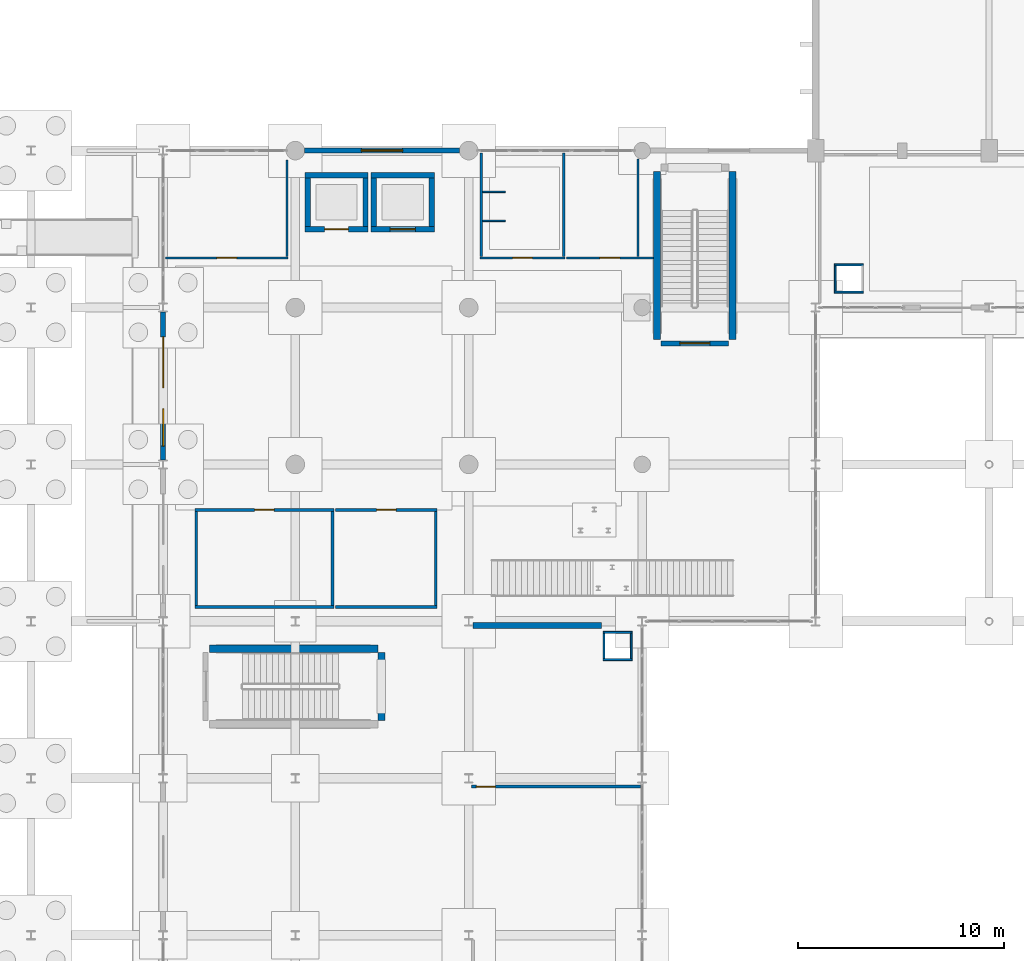
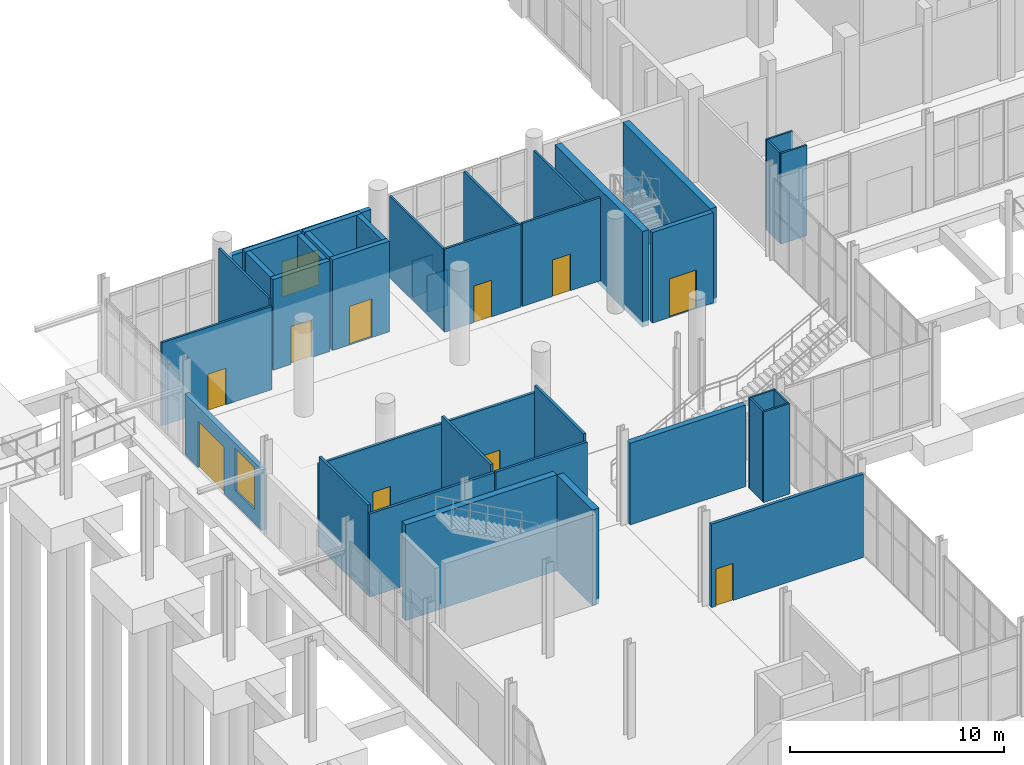
# One storey, part 74 of 95: 40 walls, 10 doors, 2 windows, 12 openings.
"""IFC4 building model written with IfcOpenShell, lengths in metres."""

from ifc_helpers import new_model, si_unit, direction, frame, frame_2d, origin, place, context, subcontext, project, spatial, rectangle, extrude, material, layer, layer_set, type_object, element, fill, save


model = new_model("IFC4")

# Units and contexts
model_context = context("Model", 3, precision=1e-05, world=origin(), true_north=direction((0.0, 1.0)))
body_context = subcontext(model_context, "Body", "Model", "MODEL_VIEW")
ifc_project = project(units=[si_unit("LENGTHUNIT", "METRE"), si_unit("AREAUNIT", "SQUARE_METRE"), si_unit("VOLUMEUNIT", "CUBIC_METRE"), si_unit("PLANEANGLEUNIT", "RADIAN"), si_unit("MASSUNIT", "GRAM", prefix="KILO")], contexts=[model_context])

# Site, building, storey
site_placement = place(None, origin())
site = spatial("IfcSite", under=ifc_project, at=site_placement, CompositionType="ELEMENT")
building_placement = place(site_placement, origin())
building = spatial("IfcBuilding", under=site, at=building_placement, Name="Shengluoqiao Park Theatre", CompositionType="ELEMENT")
storey_placement = place(building_placement, origin())
storey = spatial("IfcBuildingStorey", under=building, at=storey_placement, Name="L00", CompositionType="ELEMENT", Elevation=0.0)

# Wall, openings, door, window
ifc_material_1 = material(Name="Precast concrete C45", Category="concrete")
ifc_layer_1 = layer(ifc_material_1, 0.25, Name="Precast concrete C45")
ifc_layer_set_1 = layer_set([ifc_layer_1], Name="Precast concrete C45")
wall_type_1 = type_object("IfcWallType", Name="ENV-WL-CRYS250", PredefinedType="STANDARD", material=ifc_layer_set_1)
wall_1_placement = place(storey_placement, frame((12.800048828125, 61.010986328125, 0.0), z_axis=(0.0, 0.0, 1.0), x_axis=(0.0, 1.0, 0.0)))
wall_1 = element("IfcWall", 1, at=wall_1_placement, inside=storey, type_object=wall_type_1, Name="L00 Exterior Wall 0107", PredefinedType="STANDARD", context=body_context, shape_type="SweptSolid", body=[
    extrude(rectangle(XDim=7.177978515625, YDim=0.25, at=frame_2d((3.5888671875, 0.0))), origin(), (0.0, 0.0, 1.0), 3.47607421875),
])
opening_1_placement = place(wall_1_placement, frame((0.67919921875, 0.0, 0.800048828125)))
opening_1 = element("IfcOpeningElement", 2, at=opening_1_placement, cuts=wall_1, Name="Opening W-01", PredefinedType="OPENING", context=body_context, shape_type="SweptSolid", body=[
    extrude(rectangle(XDim=1.800048828125, YDim=2.39990234375, at=frame_2d((0.89990234375, 1.199951171875))), frame((0.0, 0.135009765625, 0.0), z_axis=(0.0, -1.0, 0.0), x_axis=(1.0, 0.0, 0.0)), (0.0, 0.0, 1.0), 0.27001953125),
])
opening_2_placement = place(wall_1_placement, frame((3.512451171875, 0.0, 0.0)))
opening_2 = element("IfcOpeningElement", 3, at=opening_2_placement, cuts=wall_1, Name="Opening ED-MAIN-008", PredefinedType="OPENING", context=body_context, shape_type="SweptSolid", body=[
    extrude(rectangle(XDim=2.449951171875, YDim=2.64990234375, at=frame_2d((1.22509765625, 1.324951171875))), frame((0.0, 0.135009765625, 0.0), z_axis=(0.0, -1.0, 0.0), x_axis=(1.0, 0.0, 0.0)), (0.0, 0.0, 1.0), 0.27001953125),
])
ifc_material_2 = material(Name="Aluminium 6063-T6", Category="aluminium")
door_type_1 = type_object("IfcDoorType", Name="ENV-DR-EX245", OperationType="DOUBLE_DOOR_SINGLE_SWING", PredefinedType="DOOR", material=ifc_material_2)
door_1_placement = place(opening_2_placement, origin())
door_1 = element("IfcDoor", 4, at=door_1_placement, inside=storey, type_object=door_type_1, Name="Main Foyer Grand Entrance Door ED-MAIN-008", OperationType="DOUBLE_DOOR_SINGLE_SWING", OverallHeight=2.64990234375, OverallWidth=2.449951171875, PredefinedType="DOOR", context=body_context, shape_type="SweptSolid", body=[
    extrude(rectangle(XDim=2.449951171875, YDim=2.64990234375, at=frame_2d((1.22509765625, 1.324951171875))), frame((0.0, 0.02490234375, 0.0), z_axis=(0.0, -1.0, 0.0), x_axis=(1.0, 0.0, 0.0)), (0.0, 0.0, 1.0), 0.050048828125),
])
fill(opening_2, door_1)
ifc_material_3 = material(Name="Insulated glass", Category="glass")
window_type_1 = type_object("IfcWindowType", Name="ENV-WIN-W01", PartitioningType="DOUBLE_PANEL_VERTICAL", PredefinedType="WINDOW", material=ifc_material_3)
window_1_placement = place(opening_1_placement, origin())
window_1 = element("IfcWindow", 5, at=window_1_placement, inside=storey, type_object=window_type_1, Name="L00 Acoustic Window 0006", OverallHeight=2.39990234375, OverallWidth=1.800048828125, PartitioningType="DOUBLE_PANEL_VERTICAL", PredefinedType="WINDOW", context=body_context, shape_type="SweptSolid", body=[
    extrude(rectangle(XDim=1.800048828125, YDim=2.39990234375, at=frame_2d((0.89990234375, 1.199951171875))), frame((0.0, 0.030029296875, 0.0), z_axis=(0.0, -1.0, 0.0), x_axis=(1.0, 0.0, 0.0)), (0.0, 0.0, 1.0), 0.06005859375),
])
fill(opening_1, window_1)

# Wall, opening, window
wall_2_placement = place(storey_placement, frame((19.654052734375, 76.0, 0.0), z_axis=(0.0, 0.0, 1.0), x_axis=(1.0, 0.0, 0.0)))
wall_2 = element("IfcWall", 6, at=wall_2_placement, inside=storey, type_object=wall_type_1, Name="L00 Exterior Wall 0108", PredefinedType="STANDARD", context=body_context, shape_type="SweptSolid", body=[
    extrude(rectangle(XDim=7.491943359375, YDim=0.25, at=frame_2d((3.74609375, 0.0))), origin(), (0.0, 0.0, 1.0), 4.238037109375),
])
opening_3_placement = place(wall_2_placement, frame((2.74609375, 0.0, 0.85009765625)))
opening_3 = element("IfcOpeningElement", 7, at=opening_3_placement, cuts=wall_2, Name="Opening W-15", PredefinedType="OPENING", context=body_context, shape_type="SweptSolid", body=[
    extrude(rectangle(XDim=2.0, YDim=2.0, at=frame_2d((1.0, 1.0))), frame((0.0, 0.135009765625, 0.0), z_axis=(0.0, -1.0, 0.0), x_axis=(1.0, 0.0, 0.0)), (0.0, 0.0, 1.0), 0.27001953125),
])
window_type_2 = type_object("IfcWindowType", Name="ENV-WIN-W15", PartitioningType="DOUBLE_PANEL_VERTICAL", PredefinedType="WINDOW", material=ifc_material_3)
window_2_placement = place(opening_3_placement, origin())
window_2 = element("IfcWindow", 8, at=window_2_placement, inside=storey, type_object=window_type_2, Name="L00 Acoustic Window 0007", OverallHeight=2.0, OverallWidth=2.0, PartitioningType="DOUBLE_PANEL_VERTICAL", PredefinedType="WINDOW", context=body_context, shape_type="SweptSolid", body=[
    extrude(rectangle(XDim=2.0, YDim=2.0, at=frame_2d((1.0, 1.0))), frame((0.0, 0.030029296875, 0.0), z_axis=(0.0, -1.0, 0.0), x_axis=(1.0, 0.0, 0.0)), (0.0, 0.0, 1.0), 0.06005859375),
])
fill(opening_3, window_2)

# Walls
ifc_material_4 = material(Name="Gypsum acoustic stud", Category="gypsum")
ifc_layer_2 = layer(ifc_material_4, 0.300048828125, Name="Gypsum acoustic stud")
ifc_layer_set_2 = layer_set([ifc_layer_2], Name="Gypsum acoustic stud")
wall_type_2 = type_object("IfcWallType", Name="INT-WL-ACO300", PredefinedType="PARTITIONING", material=ifc_layer_set_2)
wall_3_placement = place(storey_placement, frame((27.8115234375, 53.0, 0.0), z_axis=(0.0, 0.0, 1.0), x_axis=(1.0, 0.0, 0.0)))
element("IfcWall", 9, at=wall_3_placement, inside=storey, type_object=wall_type_2, Name="Chamber Ensemble Warm-Up Room Partition N", PredefinedType="PARTITIONING", context=body_context, shape_type="SweptSolid", body=[
    extrude(rectangle(XDim=6.22607421875, YDim=0.300048828125, at=frame_2d((3.113037109375, 0.0))), origin(), (0.0, 0.0, 1.0), 4.64990234375),
])
ifc_material_5 = material(Name="Compact laminate")
ifc_layer_3 = layer(ifc_material_5, 0.074951171875, Name="Compact laminate")
ifc_layer_set_3 = layer_set([ifc_layer_3], Name="Compact laminate")
wall_type_3 = type_object("IfcWallType", Name="INT-WL-CUB075", PredefinedType="PARTITIONING", material=ifc_layer_set_3)
for number, where, z_axis, x_axis, name in (
    (10, (28.27001953125, 72.60009765625, 0.0), (0.0, 0.0, 1.0), (1.0, 0.0, 0.0), "L00 WC Cubicle Partition 01"),
    (11, (28.27001953125, 74.0, 0.0), (0.0, 0.0, 1.0), (1.0, 0.0, 0.0), "L00 WC Cubicle Partition 02"),
):
    element("IfcWall", number, at=place(storey_placement, frame(where, z_axis=z_axis, x_axis=x_axis)), inside=storey, type_object=wall_type_3, Name=name, PredefinedType="PARTITIONING", context=body_context, shape_type="SweptSolid", body=[
        extrude(rectangle(XDim=1.10009765625, YDim=0.074951171875, at=frame_2d((0.550048828125, 0.0))), origin(), (0.0, 0.0, 1.0), 2.050048828125),
    ])

# Wall, opening, door
ifc_layer_4 = layer(ifc_material_4, 0.155029296875, Name="Gypsum acoustic stud")
ifc_layer_set_4 = layer_set([ifc_layer_4], Name="Gypsum acoustic stud")
wall_type_4 = type_object("IfcWallType", Name="INT-WL-DRS155", PredefinedType="PARTITIONING", material=ifc_layer_set_4)
wall_4_placement = place(storey_placement, frame((27.722412109375, 45.199951171875, 0.0), z_axis=(0.0, 0.0, 1.0), x_axis=(1.0, 0.0, 0.0)))
wall_4 = element("IfcWall", 12, at=wall_4_placement, inside=storey, type_object=wall_type_4, Name="Studio Performers Green Room Partition N", PredefinedType="PARTITIONING", context=body_context, shape_type="SweptSolid", body=[
    extrude(rectangle(XDim=8.189697265625, YDim=0.155029296875, at=frame_2d((4.0947265625, 0.0))), origin(), (0.0, 0.0, 1.0), 4.748046875),
])
opening_4_placement = place(wall_4_placement, frame((0.25, 0.0, 0.0)))
opening_4 = element("IfcOpeningElement", 13, at=opening_4_placement, cuts=wall_4, Name="Opening D-L00-022", PredefinedType="OPENING", context=body_context, shape_type="SweptSolid", body=[
    extrude(rectangle(XDim=0.919921875, YDim=2.1201171875, at=frame_2d((0.4599609375, 1.06005859375))), frame((0.0, 0.08740234375, 0.0), z_axis=(0.0, -1.0, 0.0), x_axis=(1.0, 0.0, 0.0)), (0.0, 0.0, 1.0), 0.175048828125),
])
ifc_material_6 = material(Name="Timber veneer", Category="wood")
door_type_2 = type_object("IfcDoorType", Name="INT-DR-SNG092", OperationType="NOTDEFINED", PredefinedType="DOOR", material=ifc_material_6)
door_2_placement = place(opening_4_placement, origin())
door_2 = element("IfcDoor", 14, at=door_2_placement, inside=storey, type_object=door_type_2, Name="Chamber Ensemble Warm-Up Room Door D-L00-022", OperationType="SINGLE_SWING_RIGHT", OverallHeight=2.1201171875, OverallWidth=0.919921875, PredefinedType="DOOR", context=body_context, shape_type="SweptSolid", body=[
    extrude(rectangle(XDim=0.919921875, YDim=2.1201171875, at=frame_2d((0.4599609375, 1.06005859375))), frame((0.0, 0.02490234375, 0.0), z_axis=(0.0, -1.0, 0.0), x_axis=(1.0, 0.0, 0.0)), (0.0, 0.0, 1.0), 0.050048828125),
])
fill(opening_4, door_2)

# Walls
ifc_material_7 = material(Name="Gypsum shaftwall", Category="gypsum")
ifc_layer_5 = layer(ifc_material_7, 0.094970703125, Name="Gypsum shaftwall")
ifc_layer_set_5 = layer_set([ifc_layer_5], Name="Gypsum shaftwall")
wall_type_5 = type_object("IfcWallType", Name="INT-WL-RSR095", PredefinedType="PARTITIONING", material=ifc_layer_set_5)
for number, where, z_axis, x_axis, name in (
    (15, (34.10498046875, 51.35009765625, 0.0), (0.0, 0.0, 1.0), (1.0, 0.0, 0.0), "L00 Service Riser Shaftwall 033"),
    (16, (34.10498046875, 52.669921875, 0.0), (0.0, 0.0, 1.0), (1.0, 0.0, 0.0), "L00 Service Riser Shaftwall 034"),
):
    element("IfcWall", number, at=place(storey_placement, frame(where, z_axis=z_axis, x_axis=x_axis)), inside=storey, type_object=wall_type_5, Name=name, PredefinedType="PARTITIONING", context=body_context, shape_type="SweptSolid", body=[
        extrude(rectangle(XDim=1.409912109375, YDim=0.094970703125, at=frame_2d((0.705078125, 0.0))), origin(), (0.0, 0.0, 1.0), 5.159912109375),
    ])
for number, where, z_axis, x_axis, name in (
    (17, (34.14990234375, 51.405029296875, 0.0), (0.0, 0.0, 1.0), (0.0, 1.0, 0.0), "L00 Service Riser Shaftwall 035"),
    (18, (35.469970703125, 51.405029296875, 0.0), (0.0, 0.0, 1.0), (0.0, 1.0, 0.0), "L00 Service Riser Shaftwall 036"),
):
    element("IfcWall", number, at=place(storey_placement, frame(where, z_axis=z_axis, x_axis=x_axis)), inside=storey, type_object=wall_type_5, Name=name, PredefinedType="PARTITIONING", context=body_context, shape_type="SweptSolid", body=[
        extrude(rectangle(XDim=1.2099609375, YDim=0.094970703125, at=frame_2d((0.60498046875, 0.0))), origin(), (0.0, 0.0, 1.0), 5.159912109375),
    ])
for number, where, z_axis, x_axis, name in (
    (19, (45.304931640625, 69.14990234375, 0.0), (0.0, 0.0, 1.0), (1.0, 0.0, 0.0), "L00 Service Riser Shaftwall 045"),
    (20, (45.304931640625, 70.469970703125, 0.0), (0.0, 0.0, 1.0), (1.0, 0.0, 0.0), "L00 Service Riser Shaftwall 046"),
):
    element("IfcWall", number, at=place(storey_placement, frame(where, z_axis=z_axis, x_axis=x_axis)), inside=storey, type_object=wall_type_5, Name=name, PredefinedType="PARTITIONING", context=body_context, shape_type="SweptSolid", body=[
        extrude(rectangle(XDim=1.41015625, YDim=0.094970703125, at=frame_2d((0.705078125, 0.0))), origin(), (0.0, 0.0, 1.0), 5.159912109375),
    ])
wall_5_placement = place(storey_placement, frame((45.35009765625, 69.205078125, 0.0), z_axis=(0.0, 0.0, 1.0), x_axis=(0.0, 1.0, 0.0)))
element("IfcWall", 21, at=wall_5_placement, inside=storey, type_object=wall_type_5, Name="L00 Service Riser Shaftwall 047", PredefinedType="PARTITIONING", context=body_context, shape_type="SweptSolid", body=[
    extrude(rectangle(XDim=1.2099609375, YDim=0.094970703125, at=frame_2d((0.60498046875, 0.0))), origin(), (0.0, 0.0, 1.0), 5.159912109375),
])

# Wall, opening, door
ifc_material_8 = material(Name="Concrete C40", Category="concrete")
ifc_layer_6 = layer(ifc_material_8, 0.260009765625, Name="Concrete C40")
ifc_layer_set_6 = layer_set([ifc_layer_6], Name="Concrete C40")
wall_type_6 = type_object("IfcWallType", Name="INT-WL-SHF260", PredefinedType="STANDARD", material=ifc_layer_set_6)
wall_6_placement = place(storey_placement, frame((19.669921875, 72.199951171875, 0.0), z_axis=(0.0, 0.0, 1.0), x_axis=(1.0, 0.0, 0.0)))
wall_6 = element("IfcWall", 22, at=wall_6_placement, inside=storey, type_object=wall_type_6, Name="L00 PL1 Lift Shaft Wall South", PredefinedType="STANDARD", context=body_context, shape_type="SweptSolid", body=[
    extrude(rectangle(XDim=3.06005859375, YDim=0.260009765625, at=frame_2d((1.530029296875, 0.0))), origin(), (0.0, 0.0, 1.0), 5.159912109375),
])
opening_5_placement = place(wall_6_placement, frame((0.955078125, 0.0, 0.0)))
opening_5 = element("IfcOpeningElement", 23, at=opening_5_placement, cuts=wall_6, Name="Opening LD-PL1-L00", PredefinedType="OPENING", context=body_context, shape_type="SweptSolid", body=[
    extrude(rectangle(XDim=1.14990234375, YDim=2.14990234375, at=frame_2d((0.574951171875, 1.074951171875))), frame((0.0, 0.139892578125, 0.0), z_axis=(0.0, -1.0, 0.0), x_axis=(1.0, 0.0, 0.0)), (0.0, 0.0, 1.0), 0.280029296875),
])
ifc_material_9 = material(Name="Stainless steel 304", Category="steel")
door_type_3 = type_object("IfcDoorType", Name="INT-DR-LD115", OperationType="SLIDING_TO_LEFT", PredefinedType="DOOR", material=ifc_material_9)
door_3_placement = place(opening_5_placement, origin())
door_3 = element("IfcDoor", 24, at=door_3_placement, inside=storey, type_object=door_type_3, Name="PL1 Lift Landing Door LD-PL1-L00", OperationType="SLIDING_TO_LEFT", OverallHeight=2.14990234375, OverallWidth=1.14990234375, PredefinedType="DOOR", context=body_context, shape_type="SweptSolid", body=[
    extrude(rectangle(XDim=1.14990234375, YDim=2.14990234375, at=frame_2d((0.574951171875, 1.074951171875))), frame((0.0, 0.02490234375, 0.0), z_axis=(0.0, -1.0, 0.0), x_axis=(1.0, 0.0, 0.0)), (0.0, 0.0, 1.0), 0.050048828125),
])
fill(opening_5, door_3)

# Walls
wall_7_placement = place(storey_placement, frame((19.669921875, 74.800048828125, 0.0), z_axis=(0.0, 0.0, 1.0), x_axis=(1.0, 0.0, 0.0)))
element("IfcWall", 25, at=wall_7_placement, inside=storey, type_object=wall_type_6, Name="L00 PL1 Lift Shaft Wall North", PredefinedType="STANDARD", context=body_context, shape_type="SweptSolid", body=[
    extrude(rectangle(XDim=3.06005859375, YDim=0.260009765625, at=frame_2d((1.530029296875, 0.0))), origin(), (0.0, 0.0, 1.0), 5.159912109375),
])
for number, where, z_axis, x_axis, name in (
    (26, (19.800048828125, 72.3359375, 0.0), (0.0, 0.0, 1.0), (0.0, 1.0, 0.0), "L00 PL1 Lift Shaft Wall West"),
    (27, (22.60009765625, 72.3359375, 0.0), (0.0, 0.0, 1.0), (0.0, 1.0, 0.0), "L00 PL1 Lift Shaft Wall East"),
):
    element("IfcWall", number, at=place(storey_placement, frame(where, z_axis=z_axis, x_axis=x_axis)), inside=storey, type_object=wall_type_6, Name=name, PredefinedType="STANDARD", context=body_context, shape_type="SweptSolid", body=[
        extrude(rectangle(XDim=2.328125, YDim=0.260009765625, at=frame_2d((1.1640625, 0.0))), origin(), (0.0, 0.0, 1.0), 5.159912109375),
    ])

# Wall, opening, door
wall_8_placement = place(storey_placement, frame((22.8701171875, 72.199951171875, 0.0), z_axis=(0.0, 0.0, 1.0), x_axis=(1.0, 0.0, 0.0)))
wall_8 = element("IfcWall", 28, at=wall_8_placement, inside=storey, type_object=wall_type_6, Name="L00 PL2 Lift Shaft Wall South", PredefinedType="STANDARD", context=body_context, shape_type="SweptSolid", body=[
    extrude(rectangle(XDim=3.059814453125, YDim=0.260009765625, at=frame_2d((1.52978515625, 0.0))), origin(), (0.0, 0.0, 1.0), 5.159912109375),
])
opening_6_placement = place(wall_8_placement, frame((0.919921875, 0.0, 0.0)))
opening_6 = element("IfcOpeningElement", 29, at=opening_6_placement, cuts=wall_8, Name="Opening LD-PL2-L00", PredefinedType="OPENING", context=body_context, shape_type="SweptSolid", body=[
    extrude(rectangle(XDim=1.219970703125, YDim=2.199951171875, at=frame_2d((0.60986328125, 1.10009765625))), frame((0.0, 0.139892578125, 0.0), z_axis=(0.0, -1.0, 0.0), x_axis=(1.0, 0.0, 0.0)), (0.0, 0.0, 1.0), 0.280029296875),
])
door_type_4 = type_object("IfcDoorType", Name="INT-DR-LD122", OperationType="SLIDING_TO_RIGHT", PredefinedType="DOOR", material=ifc_material_9)
door_4_placement = place(opening_6_placement, origin())
door_4 = element("IfcDoor", 30, at=door_4_placement, inside=storey, type_object=door_type_4, Name="PL2 Lift Landing Door LD-PL2-L00", OperationType="SLIDING_TO_RIGHT", OverallHeight=2.199951171875, OverallWidth=1.219970703125, PredefinedType="DOOR", context=body_context, shape_type="SweptSolid", body=[
    extrude(rectangle(XDim=1.219970703125, YDim=2.199951171875, at=frame_2d((0.60986328125, 1.10009765625))), frame((0.0, 0.02490234375, 0.0), z_axis=(0.0, -1.0, 0.0), x_axis=(1.0, 0.0, 0.0)), (0.0, 0.0, 1.0), 0.050048828125),
])
fill(opening_6, door_4)

# Walls
wall_9_placement = place(storey_placement, frame((22.8701171875, 74.800048828125, 0.0), z_axis=(0.0, 0.0, 1.0), x_axis=(1.0, 0.0, 0.0)))
element("IfcWall", 31, at=wall_9_placement, inside=storey, type_object=wall_type_6, Name="L00 PL2 Lift Shaft Wall North", PredefinedType="STANDARD", context=body_context, shape_type="SweptSolid", body=[
    extrude(rectangle(XDim=3.059814453125, YDim=0.260009765625, at=frame_2d((1.52978515625, 0.0))), origin(), (0.0, 0.0, 1.0), 5.159912109375),
])
for number, where, z_axis, x_axis, name in (
    (32, (23.0, 72.3359375, 0.0), (0.0, 0.0, 1.0), (0.0, 1.0, 0.0), "L00 PL2 Lift Shaft Wall West"),
    (33, (25.800048828125, 72.3359375, 0.0), (0.0, 0.0, 1.0), (0.0, 1.0, 0.0), "L00 PL2 Lift Shaft Wall East"),
):
    element("IfcWall", number, at=place(storey_placement, frame(where, z_axis=z_axis, x_axis=x_axis)), inside=storey, type_object=wall_type_6, Name=name, PredefinedType="STANDARD", context=body_context, shape_type="SweptSolid", body=[
        extrude(rectangle(XDim=2.328125, YDim=0.260009765625, at=frame_2d((1.1640625, 0.0))), origin(), (0.0, 0.0, 1.0), 5.159912109375),
    ])

# Wall, opening, door
ifc_material_10 = material(Name="Gypsum board", Category="gypsum")
ifc_layer_7 = layer(ifc_material_10, 0.135009765625, Name="Gypsum board")
ifc_layer_set_7 = layer_set([ifc_layer_7], Name="Gypsum board")
wall_type_7 = type_object("IfcWallType", Name="INT-WL-STD135", PredefinedType="PARTITIONING", material=ifc_layer_set_7)
wall_10_placement = place(storey_placement, frame((14.33251953125, 58.60009765625, 0.0), z_axis=(0.0, 0.0, 1.0), x_axis=(1.0, 0.0, 0.0)))
wall_10 = element("IfcWall", 34, at=wall_10_placement, inside=storey, type_object=wall_type_7, Name="Box Office Partition N", PredefinedType="PARTITIONING", context=body_context, shape_type="SweptSolid", body=[
    extrude(rectangle(XDim=6.73486328125, YDim=0.135009765625, at=frame_2d((3.367431640625, 0.0))), origin(), (0.0, 0.0, 1.0), 4.738037109375),
])
opening_7_placement = place(wall_10_placement, frame((2.892578125, 0.0, 0.0)))
opening_7 = element("IfcOpeningElement", 35, at=opening_7_placement, cuts=wall_10, Name="Opening D-L00-025", PredefinedType="OPENING", context=body_context, shape_type="SweptSolid", body=[
    extrude(rectangle(XDim=0.949951171875, YDim=2.1201171875, at=frame_2d((0.47509765625, 1.06005859375))), frame((0.0, 0.077392578125, 0.0), z_axis=(0.0, -1.0, 0.0), x_axis=(1.0, 0.0, 0.0)), (0.0, 0.0, 1.0), 0.155029296875),
])
door_type_5 = type_object("IfcDoorType", Name="INT-DR-SNG095", OperationType="NOTDEFINED", PredefinedType="DOOR", material=ifc_material_6)
door_5_placement = place(opening_7_placement, origin())
door_5 = element("IfcDoor", 36, at=door_5_placement, inside=storey, type_object=door_type_5, Name="Box Office Door D-L00-025", OperationType="SINGLE_SWING_RIGHT", OverallHeight=2.1201171875, OverallWidth=0.949951171875, PredefinedType="DOOR", context=body_context, shape_type="SweptSolid", body=[
    extrude(rectangle(XDim=0.949951171875, YDim=2.1201171875, at=frame_2d((0.47509765625, 1.06005859375))), frame((0.0, 0.02490234375, 0.0), z_axis=(0.0, -1.0, 0.0), x_axis=(1.0, 0.0, 0.0)), (0.0, 0.0, 1.0), 0.050048828125),
])
fill(opening_7, door_5)

# Walls
wall_11_placement = place(storey_placement, frame((14.33251953125, 53.89990234375, 0.0), z_axis=(0.0, 0.0, 1.0), x_axis=(1.0, 0.0, 0.0)))
element("IfcWall", 37, at=wall_11_placement, inside=storey, type_object=wall_type_7, Name="Box Office Partition S", PredefinedType="PARTITIONING", context=body_context, shape_type="SweptSolid", body=[
    extrude(rectangle(XDim=6.73486328125, YDim=0.135009765625, at=frame_2d((3.367431640625, 0.0))), origin(), (0.0, 0.0, 1.0), 4.738037109375),
])
for number, where, z_axis, x_axis, name in (
    (38, (14.39990234375, 53.973388671875, 0.0), (0.0, 0.0, 1.0), (0.0, 1.0, 0.0), "Box Office Partition W"),
    (39, (21.0, 53.973388671875, 0.0), (0.0, 0.0, 1.0), (0.0, 1.0, 0.0), "Box Office Partition E"),
):
    element("IfcWall", number, at=place(storey_placement, frame(where, z_axis=z_axis, x_axis=x_axis)), inside=storey, type_object=wall_type_7, Name=name, PredefinedType="PARTITIONING", context=body_context, shape_type="SweptSolid", body=[
        extrude(rectangle(XDim=4.55322265625, YDim=0.135009765625, at=frame_2d((2.276611328125, 0.0))), origin(), (0.0, 0.0, 1.0), 5.159912109375),
    ])

# Wall, opening, door
wall_12_placement = place(storey_placement, frame((21.155029296875, 58.60009765625, 0.0), z_axis=(0.0, 0.0, 1.0), x_axis=(1.0, 0.0, 0.0)))
wall_12 = element("IfcWall", 40, at=wall_12_placement, inside=storey, type_object=wall_type_7, Name="Cloakroom Partition N", PredefinedType="PARTITIONING", context=body_context, shape_type="SweptSolid", body=[
    extrude(rectangle(XDim=4.912353515625, YDim=0.135009765625, at=frame_2d((2.4560546875, 0.0))), origin(), (0.0, 0.0, 1.0), 4.738037109375),
])
opening_8_placement = place(wall_12_placement, frame((1.981201171875, 0.0, 0.0)))
opening_8 = element("IfcOpeningElement", 41, at=opening_8_placement, cuts=wall_12, Name="Opening D-L00-026", PredefinedType="OPENING", context=body_context, shape_type="SweptSolid", body=[
    extrude(rectangle(XDim=0.949951171875, YDim=2.1201171875, at=frame_2d((0.47509765625, 1.06005859375))), frame((0.0, 0.077392578125, 0.0), z_axis=(0.0, -1.0, 0.0), x_axis=(1.0, 0.0, 0.0)), (0.0, 0.0, 1.0), 0.155029296875),
])
door_6_placement = place(opening_8_placement, origin())
door_6 = element("IfcDoor", 42, at=door_6_placement, inside=storey, type_object=door_type_5, Name="Cloakroom Door D-L00-026", OperationType="SINGLE_SWING_LEFT", OverallHeight=2.1201171875, OverallWidth=0.949951171875, PredefinedType="DOOR", context=body_context, shape_type="SweptSolid", body=[
    extrude(rectangle(XDim=0.949951171875, YDim=2.1201171875, at=frame_2d((0.47509765625, 1.06005859375))), frame((0.0, 0.02490234375, 0.0), z_axis=(0.0, -1.0, 0.0), x_axis=(1.0, 0.0, 0.0)), (0.0, 0.0, 1.0), 0.050048828125),
])
fill(opening_8, door_6)

# Walls
wall_13_placement = place(storey_placement, frame((21.155029296875, 53.89990234375, 0.0), z_axis=(0.0, 0.0, 1.0), x_axis=(1.0, 0.0, 0.0)))
element("IfcWall", 43, at=wall_13_placement, inside=storey, type_object=wall_type_7, Name="Cloakroom Partition S", PredefinedType="PARTITIONING", context=body_context, shape_type="SweptSolid", body=[
    extrude(rectangle(XDim=4.912353515625, YDim=0.135009765625, at=frame_2d((2.4560546875, 0.0))), origin(), (0.0, 0.0, 1.0), 4.738037109375),
])
wall_14_placement = place(storey_placement, frame((26.0, 53.973388671875, 0.0), z_axis=(0.0, 0.0, 1.0), x_axis=(0.0, 1.0, 0.0)))
element("IfcWall", 44, at=wall_14_placement, inside=storey, type_object=wall_type_7, Name="Cloakroom Partition E", PredefinedType="PARTITIONING", context=body_context, shape_type="SweptSolid", body=[
    extrude(rectangle(XDim=4.55322265625, YDim=0.135009765625, at=frame_2d((2.276611328125, 0.0))), origin(), (0.0, 0.0, 1.0), 5.159912109375),
])

# Wall, opening, door
ifc_layer_8 = layer(ifc_material_8, 0.239990234375, Name="Concrete C40")
ifc_layer_set_8 = layer_set([ifc_layer_8], Name="Concrete C40")
wall_type_8 = type_object("IfcWallType", Name="INT-WL-STW240", PredefinedType="STANDARD", material=ifc_layer_set_8)
wall_15_placement = place(storey_placement, frame((40.18994140625, 66.659912109375, 0.0), z_axis=(0.0, 0.0, 1.0), x_axis=(-1.0, 0.0, 0.0)))
wall_15 = element("IfcWall", 45, at=wall_15_placement, inside=storey, type_object=wall_type_8, Name="L00 ST-01 Stairwell Fire Wall", PredefinedType="STANDARD", context=body_context, shape_type="SweptSolid", body=[
    extrude(rectangle(XDim=3.280029296875, YDim=0.239990234375, at=frame_2d((1.64013671875, 0.0))), origin(), (0.0, 0.0, 1.0), 5.159912109375),
])
opening_9_placement = place(wall_15_placement, frame((0.9150390625, 0.0, 0.0)))
opening_9 = element("IfcOpeningElement", 46, at=opening_9_placement, cuts=wall_15, Name="Opening SD-01-L00", PredefinedType="OPENING", context=body_context, shape_type="SweptSolid", body=[
    extrude(rectangle(XDim=1.449951171875, YDim=2.199951171875, at=frame_2d((0.72509765625, 1.10009765625))), frame((0.0, 0.1298828125, 0.0), z_axis=(0.0, -1.0, 0.0), x_axis=(1.0, 0.0, 0.0)), (0.0, 0.0, 1.0), 0.260009765625),
])
ifc_material_11 = material(Name="Steel Q355", Category="steel")
door_type_6 = type_object("IfcDoorType", Name="INT-DR-STW145", OperationType="DOUBLE_DOOR_SINGLE_SWING", PredefinedType="DOOR", material=ifc_material_11)
door_7_placement = place(opening_9_placement, origin())
door_7 = element("IfcDoor", 47, at=door_7_placement, inside=storey, type_object=door_type_6, Name="L00 ST-01 Escape Stair Door SD-01-L00", OperationType="DOUBLE_DOOR_SINGLE_SWING", OverallHeight=2.199951171875, OverallWidth=1.449951171875, PredefinedType="DOOR", context=body_context, shape_type="SweptSolid", body=[
    extrude(rectangle(XDim=1.449951171875, YDim=2.199951171875, at=frame_2d((0.72509765625, 1.10009765625))), frame((0.0, 0.02490234375, 0.0), z_axis=(0.0, -1.0, 0.0), x_axis=(1.0, 0.0, 0.0)), (0.0, 0.0, 1.0), 0.050048828125),
])
fill(opening_9, door_7)

ifc_material_12 = material(Name="Moisture-resistant board")
ifc_layer_9 = layer(ifc_material_12, 0.114990234375, Name="Moisture-resistant board")
ifc_layer_set_9 = layer_set([ifc_layer_9], Name="Moisture-resistant board")
wall_type_9 = type_object("IfcWallType", Name="INT-WL-WCP115", PredefinedType="PARTITIONING", material=ifc_layer_set_9)
wall_16_placement = place(storey_placement, frame((12.907958984375, 70.800048828125, 0.0), z_axis=(0.0, 0.0, 1.0), x_axis=(1.0, 0.0, 0.0)))
wall_16 = element("IfcWall", 48, at=wall_16_placement, inside=storey, type_object=wall_type_9, Name="Main Foyer Public Female WC Partition S", PredefinedType="PARTITIONING", context=body_context, shape_type="SweptSolid", body=[
    extrude(rectangle(XDim=5.949462890625, YDim=0.114990234375, at=frame_2d((2.974609375, 0.0))), origin(), (0.0, 0.0, 1.0), 4.738037109375),
])
opening_10_placement = place(wall_16_placement, frame((2.494873046875, 0.0, 0.0)))
opening_10 = element("IfcOpeningElement", 49, at=opening_10_placement, cuts=wall_16, Name="Opening D-L00-012", PredefinedType="OPENING", context=body_context, shape_type="SweptSolid", body=[
    extrude(rectangle(XDim=0.9599609375, YDim=2.080078125, at=frame_2d((0.47998046875, 1.0400390625))), frame((0.0, 0.0673828125, 0.0), z_axis=(0.0, -1.0, 0.0), x_axis=(1.0, 0.0, 0.0)), (0.0, 0.0, 1.0), 0.135009765625),
])
ifc_material_13 = material(Name="Moisture-resistant laminate")
door_type_7 = type_object("IfcDoorType", Name="INT-DR-ACC096", OperationType="NOTDEFINED", PredefinedType="DOOR", material=ifc_material_13)
door_8_placement = place(opening_10_placement, origin())
door_8 = element("IfcDoor", 50, at=door_8_placement, inside=storey, type_object=door_type_7, Name="Main Foyer Public Female WC Door D-L00-012", OperationType="SINGLE_SWING_RIGHT", OverallHeight=2.080078125, OverallWidth=0.9599609375, PredefinedType="DOOR", context=body_context, shape_type="SweptSolid", body=[
    extrude(rectangle(XDim=0.9599609375, YDim=2.080078125, at=frame_2d((0.47998046875, 1.0400390625))), frame((0.0, 0.02490234375, 0.0), z_axis=(0.0, -1.0, 0.0), x_axis=(1.0, 0.0, 0.0)), (0.0, 0.0, 1.0), 0.050048828125),
])
fill(opening_10, door_8)

# Wall
wall_17_placement = place(storey_placement, frame((18.800048828125, 70.863525390625, 0.0), z_axis=(0.0, 0.0, 1.0), x_axis=(0.0, 1.0, 0.0)))
element("IfcWall", 51, at=wall_17_placement, inside=storey, type_object=wall_type_9, Name="Main Foyer Public Female WC Partition E", PredefinedType="PARTITIONING", context=body_context, shape_type="SweptSolid", body=[
    extrude(rectangle(XDim=4.680419921875, YDim=0.114990234375, at=frame_2d((2.34033203125, 0.0))), origin(), (0.0, 0.0, 1.0), 5.159912109375),
])

# Wall, opening, door
wall_18_placement = place(storey_placement, frame((28.142578125, 70.800048828125, 0.0), z_axis=(0.0, 0.0, 1.0), x_axis=(1.0, 0.0, 0.0)))
wall_18 = element("IfcWall", 52, at=wall_18_placement, inside=storey, type_object=wall_type_9, Name="Main Foyer Public Male WC Partition S", PredefinedType="PARTITIONING", context=body_context, shape_type="SweptSolid", body=[
    extrude(rectangle(XDim=4.114990234375, YDim=0.114990234375, at=frame_2d((2.0576171875, 0.0))), origin(), (0.0, 0.0, 1.0), 4.738037109375),
])
opening_11_placement = place(wall_18_placement, frame((1.577392578125, 0.0, 0.0)))
opening_11 = element("IfcOpeningElement", 53, at=opening_11_placement, cuts=wall_18, Name="Opening D-L00-013", PredefinedType="OPENING", context=body_context, shape_type="SweptSolid", body=[
    extrude(rectangle(XDim=0.9599609375, YDim=2.080078125, at=frame_2d((0.47998046875, 1.0400390625))), frame((0.0, 0.0673828125, 0.0), z_axis=(0.0, -1.0, 0.0), x_axis=(1.0, 0.0, 0.0)), (0.0, 0.0, 1.0), 0.135009765625),
])
door_9_placement = place(opening_11_placement, origin())
door_9 = element("IfcDoor", 54, at=door_9_placement, inside=storey, type_object=door_type_7, Name="Main Foyer Public Male WC Door D-L00-013", OperationType="SINGLE_SWING_LEFT", OverallHeight=2.080078125, OverallWidth=0.9599609375, PredefinedType="DOOR", context=body_context, shape_type="SweptSolid", body=[
    extrude(rectangle(XDim=0.9599609375, YDim=2.080078125, at=frame_2d((0.47998046875, 1.0400390625))), frame((0.0, 0.02490234375, 0.0), z_axis=(0.0, -1.0, 0.0), x_axis=(1.0, 0.0, 0.0)), (0.0, 0.0, 1.0), 0.050048828125),
])
fill(opening_11, door_9)

# Walls
for number, where, z_axis, x_axis, name in (
    (55, (28.199951171875, 70.863525390625, 0.0), (0.0, 0.0, 1.0), (0.0, 1.0, 0.0), "Main Foyer Public Male WC Partition W"),
    (56, (32.199951171875, 70.863525390625, 0.0), (0.0, 0.0, 1.0), (0.0, 1.0, 0.0), "Main Foyer Public Male WC Partition E"),
):
    element("IfcWall", number, at=place(storey_placement, frame(where, z_axis=z_axis, x_axis=x_axis)), inside=storey, type_object=wall_type_9, Name=name, PredefinedType="PARTITIONING", context=body_context, shape_type="SweptSolid", body=[
        extrude(rectangle(XDim=5.028564453125, YDim=0.114990234375, at=frame_2d((2.51416015625, 0.0))), origin(), (0.0, 0.0, 1.0), 4.64990234375),
    ])

# Wall, opening, door
wall_19_placement = place(storey_placement, frame((32.3349609375, 70.800048828125, 0.0), z_axis=(0.0, 0.0, 1.0), x_axis=(1.0, 0.0, 0.0)))
wall_19 = element("IfcWall", 57, at=wall_19_placement, inside=storey, type_object=wall_type_9, Name="Main Foyer Accessible WC Partition S", PredefinedType="PARTITIONING", context=body_context, shape_type="SweptSolid", body=[
    extrude(rectangle(XDim=4.2021484375, YDim=0.114990234375, at=frame_2d((2.10107421875, 0.0))), origin(), (0.0, 0.0, 1.0), 4.738037109375),
])
opening_12_placement = place(wall_19_placement, frame((1.62109375, 0.0, 0.0)))
opening_12 = element("IfcOpeningElement", 58, at=opening_12_placement, cuts=wall_19, Name="Opening D-L00-014", PredefinedType="OPENING", context=body_context, shape_type="SweptSolid", body=[
    extrude(rectangle(XDim=0.9599609375, YDim=2.080078125, at=frame_2d((0.47998046875, 1.0400390625))), frame((0.0, 0.0673828125, 0.0), z_axis=(0.0, -1.0, 0.0), x_axis=(1.0, 0.0, 0.0)), (0.0, 0.0, 1.0), 0.135009765625),
])
door_10_placement = place(opening_12_placement, origin())
door_10 = element("IfcDoor", 59, at=door_10_placement, inside=storey, type_object=door_type_7, Name="Main Foyer Accessible WC Door D-L00-014", OperationType="SINGLE_SWING_RIGHT", OverallHeight=2.080078125, OverallWidth=0.9599609375, PredefinedType="DOOR", context=body_context, shape_type="SweptSolid", body=[
    extrude(rectangle(XDim=0.9599609375, YDim=2.080078125, at=frame_2d((0.47998046875, 1.0400390625))), frame((0.0, 0.02490234375, 0.0), z_axis=(0.0, -1.0, 0.0), x_axis=(1.0, 0.0, 0.0)), (0.0, 0.0, 1.0), 0.050048828125),
])
fill(opening_12, door_10)

# Walls
wall_20_placement = place(storey_placement, frame((35.800048828125, 70.863525390625, 0.0), z_axis=(0.0, 0.0, 1.0), x_axis=(0.0, 1.0, 0.0)))
element("IfcWall", 60, at=wall_20_placement, inside=storey, type_object=wall_type_9, Name="Main Foyer Accessible WC Partition E", PredefinedType="PARTITIONING", context=body_context, shape_type="SweptSolid", body=[
    extrude(rectangle(XDim=4.73046875, YDim=0.114990234375, at=frame_2d((2.365234375, 0.0))), origin(), (0.0, 0.0, 1.0), 4.748046875),
])
ifc_material_14 = material(Name="Concrete C50", Category="concrete")
ifc_layer_10 = layer(ifc_material_14, 0.35009765625, Name="Concrete C50")
ifc_layer_set_10 = layer_set([ifc_layer_10], Name="Concrete C50")
wall_type_10 = type_object("IfcWallType", Name="STR-SW-CORE350", PredefinedType="SHEAR", material=ifc_layer_set_10)
for number, where, z_axis, x_axis, name in (
    (61, (40.3798828125, 66.85009765625, -0.300048828125), (0.0, 0.0, 1.0), (0.0, 1.0, 0.0), "L00 ST-01 Core Left Shear Wall 0025"),
    (62, (36.719970703125, 75.0, -0.300048828125), (0.0, 0.0, 1.0), (0.0, -1.0, 0.0), "L00 ST-01 Core Right Shear Wall 0027"),
):
    element("IfcWall", number, at=place(storey_placement, frame(where, z_axis=z_axis, x_axis=x_axis)), inside=storey, type_object=wall_type_10, Name=name, PredefinedType="SHEAR", context=body_context, shape_type="SweptSolid", body=[
        extrude(rectangle(XDim=8.14990234375, YDim=0.35009765625, at=frame_2d((4.074951171875, 0.0))), origin(), (0.0, 0.0, 1.0), 5.4599609375),
    ])
wall_21_placement = place(storey_placement, frame((23.3798828125, 48.39990234375, -0.300048828125), z_axis=(0.0, 0.0, 1.0), x_axis=(0.0, 1.0, 0.0)))
element("IfcWall", 63, at=wall_21_placement, inside=storey, type_object=wall_type_10, Name="L00 ST-13 Core Far Shear Wall 0170", PredefinedType="SHEAR", context=body_context, shape_type="SweptSolid", body=[
    extrude(rectangle(XDim=3.300048828125, YDim=0.35009765625, at=frame_2d((1.64990234375, 0.0))), origin(), (0.0, 0.0, 1.0), 5.4599609375),
])
wall_22_placement = place(storey_placement, frame((23.199951171875, 51.8798828125, -0.300048828125), z_axis=(0.0, 0.0, 1.0), x_axis=(-1.0, 0.0, 0.0)))
element("IfcWall", 64, at=wall_22_placement, inside=storey, type_object=wall_type_10, Name="L00 ST-13 Core Right Shear Wall 0171", PredefinedType="SHEAR", context=body_context, shape_type="SweptSolid", body=[
    extrude(rectangle(XDim=8.14990234375, YDim=0.35009765625, at=frame_2d((4.074951171875, 0.0))), origin(), (0.0, 0.0, 1.0), 5.4599609375),
])

save(model, "model.ifc")
